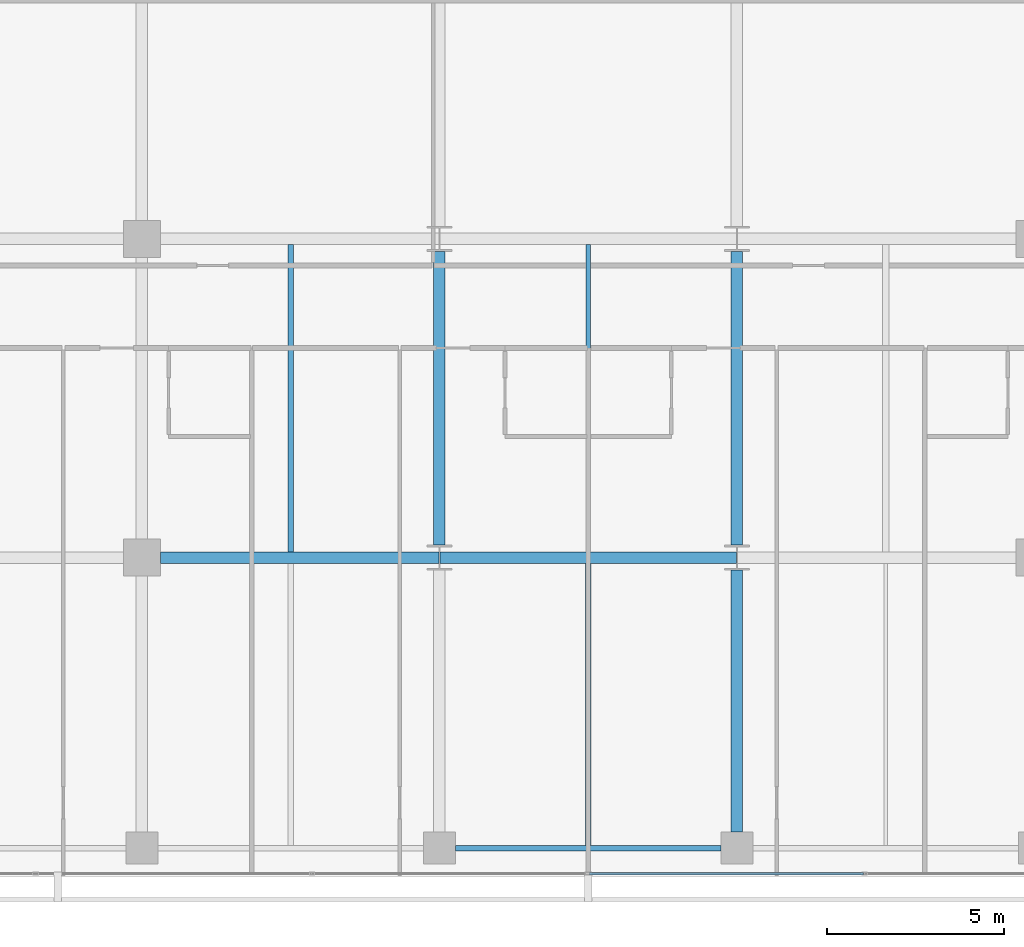
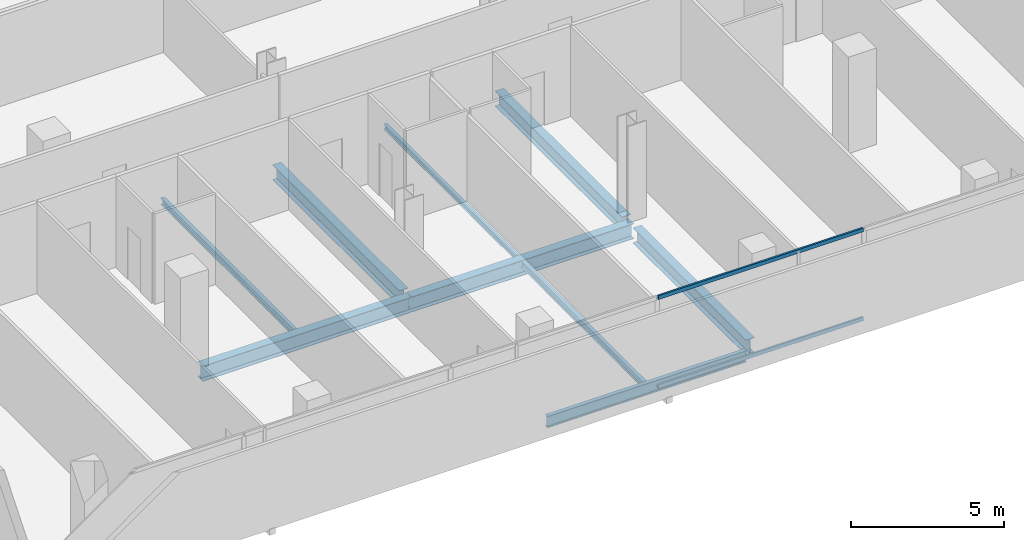
# One storey, part 9 of 40: 9 beams, 2 members, 1 element without a shape of its own.
"""IFC4 building model written with IfcOpenShell, lengths in metres."""

from ifc_helpers import new_model, si_unit, direction, frame, origin, origin_2d, place, context, subcontext, project, spatial, hollow_rectangle, i_section, extrude, material, layer, layer_set, material_profile, profile_set, type_object, element, aggregate, save


model = new_model("IFC4")

# Units and contexts
model_context = context("Model", 3, precision=1e-05, world=origin(), true_north=direction((0.0, 1.0)))
body_context = subcontext(model_context, "Body", "Model", "MODEL_VIEW")
ifc_project = project(units=[si_unit("LENGTHUNIT", "METRE"), si_unit("AREAUNIT", "SQUARE_METRE"), si_unit("VOLUMEUNIT", "CUBIC_METRE"), si_unit("PLANEANGLEUNIT", "RADIAN"), si_unit("MASSUNIT", "GRAM", prefix="KILO")], contexts=[model_context])

# Site, building, storey
site_placement = place(None, origin())
site = spatial("IfcSite", under=ifc_project, at=site_placement, CompositionType="ELEMENT")
building_placement = place(site_placement, origin())
building = spatial("IfcBuilding", under=site, at=building_placement, Name="Maruvema Waterfront Hotel and Observation Tower", CompositionType="ELEMENT")
storey_placement = place(building_placement, frame((0.0, 0.0, 103.949951171875)))
storey = spatial("IfcBuildingStorey", under=building, at=storey_placement, Name="L25", CompositionType="ELEMENT", Elevation=103.949951171875)

# Curtain wall, members
ifc_material_1 = material(Name="Anodised bronze aluminium and solar-control low-E IGU", Category="aluminium")
ifc_layer = layer(ifc_material_1, 0.159912109375, Name="Zone 1 Bronze Inner Thermal Curtain Wall System CW-02")
ifc_layer_set = layer_set([ifc_layer], Name="Anodised bronze aluminium and solar-control low-E IGU")
curtain_wall_type = type_object("IfcCurtainWallType", Name="Zone 1 Bronze Inner Thermal Curtain Wall System CW-02", PredefinedType="USERDEFINED", material=ifc_layer_set)
curtain_wall_placement = place(storey_placement, origin())
curtain_wall = element("IfcCurtainWall", 1, at=curtain_wall_placement, inside=storey, type_object=curtain_wall_type, Name="L25 Curtain Wall CW-L25-S", ObjectType="UNITISED CURTAIN WALL", PredefinedType="USERDEFINED")
ifc_material_2 = material(Name="Anodised architectural bronze aluminium", Category="aluminium")
ifc_material_profile_1 = material_profile(ifc_material_2, hollow_rectangle(XDim=0.070068359375, YDim=0.14990234375, WallThickness=0.00390625, at=origin_2d()), Name="ALU-T70x150")
ifc_profile_set_1 = profile_set([ifc_material_profile_1], Name="Anodised architectural bronze aluminium")
member_type = type_object("IfcMemberType", Name="Curtain Wall Horizontal Transom ALU-T70x150", PredefinedType="USERDEFINED", material=ifc_profile_set_1)
member_1_placement = place(storey_placement, frame((37.830078125, 0.080078125, 0.030029296875), z_axis=(1.0, 0.0, 0.0), x_axis=(0.0, 1.0, 0.0)))
member_1 = element("IfcMember", 2, at=member_1_placement, type_object=member_type, Name="CW-02 transom 4.1", ObjectType="TRANSOM", PredefinedType="USERDEFINED", context=body_context, shape_type="SweptSolid", body=[
    extrude(hollow_rectangle(XDim=0.070068359375, YDim=0.14990234375, WallThickness=0.00390625, at=origin_2d()), origin(), (0.0, 0.0, 1.0), 7.739990234375),
])
member_2_placement = place(storey_placement, frame((37.830078125, 0.080078125, 3.580078125), z_axis=(1.0, 0.0, 0.0), x_axis=(0.0, 1.0, 0.0)))
member_2 = element("IfcMember", 3, at=member_2_placement, type_object=member_type, Name="CW-02 transom 4.2", ObjectType="TRANSOM", PredefinedType="USERDEFINED", context=body_context, shape_type="SweptSolid", body=[
    extrude(hollow_rectangle(XDim=0.070068359375, YDim=0.14990234375, WallThickness=0.00390625, at=origin_2d()), origin(), (0.0, 0.0, 1.0), 7.739990234375),
])
aggregate(curtain_wall, [member_1, member_2])

# Beams
ifc_material_3 = material(Name="Steel ASTM A572 Grade 50", Category="steel")
ifc_material_profile_2 = material_profile(ifc_material_3, i_section(OverallWidth=0.153076171875, OverallDepth=0.455078125, WebThickness=0.008056640625, FlangeThickness=0.01318359375, FilletRadius=0.014892578125, at=origin_2d()), Name="W460x60.0")
ifc_profile_set_2 = profile_set([ifc_material_profile_2], Name="Steel ASTM A572 Grade 50")
beam_type_1 = type_object("IfcBeamType", Name="Perimeter Spandrel Beam W460x60.0", PredefinedType="SPANDREL", material=ifc_profile_set_2)
beam_1_placement = place(storey_placement, frame((34.050048828125, 0.800048828125, -0.467529296875), z_axis=(1.0, 0.0, 0.0), x_axis=(0.0, 1.0, 0.0)))
element("IfcBeam", 4, at=beam_1_placement, inside=storey, type_object=beam_type_1, Name="L25 Floor Girder EW-03", PredefinedType="SPANDREL", context=body_context, shape_type="SweptSolid", body=[
    extrude(i_section(OverallWidth=0.153076171875, OverallDepth=0.455078125, WebThickness=0.008056640625, FlangeThickness=0.01318359375, FilletRadius=0.014892578125, at=origin_2d()), origin(), (0.0, 0.0, 1.0), 7.5),
])
ifc_material_4 = material(Name="Steel ASTM A572 Grade 50", Category="steel")
ifc_material_profile_3 = material_profile(ifc_material_4, i_section(OverallWidth=0.323974609375, OverallDepth=0.611083984375, WebThickness=0.0126953125, FlangeThickness=0.01904296875, FilletRadius=0.01806640625, at=origin_2d()), Name="W610x155.0")
ifc_profile_set_3 = profile_set([ifc_material_profile_3], Name="Steel ASTM A572 Grade 50")
beam_type_2 = type_object("IfcBeamType", Name="Primary Floor Girder W610x155.0", PredefinedType="BEAM", material=ifc_profile_set_3)
beam_2_placement = place(storey_placement, frame((25.72509765625, 9.0, -0.54541015625), z_axis=(1.0, 0.0, 0.0), x_axis=(0.0, 1.0, 0.0)))
element("IfcBeam", 5, at=beam_2_placement, inside=storey, type_object=beam_type_2, Name="L25 Floor Girder EW-08", PredefinedType="BEAM", context=body_context, shape_type="SweptSolid", body=[
    extrude(i_section(OverallWidth=0.323974609375, OverallDepth=0.611083984375, WebThickness=0.0126953125, FlangeThickness=0.01904296875, FilletRadius=0.01806640625, at=origin_2d()), origin(), (0.0, 0.0, 1.0), 7.86083984375),
])
beam_3_placement = place(storey_placement, frame((33.614013671875, 9.0, -0.54541015625), z_axis=(1.0, 0.0, 0.0), x_axis=(0.0, 1.0, 0.0)))
element("IfcBeam", 6, at=beam_3_placement, inside=storey, type_object=beam_type_2, Name="L25 Floor Girder EW-09", PredefinedType="BEAM", context=body_context, shape_type="SweptSolid", body=[
    extrude(i_section(OverallWidth=0.323974609375, OverallDepth=0.611083984375, WebThickness=0.0126953125, FlangeThickness=0.01904296875, FilletRadius=0.01806640625, at=origin_2d()), origin(), (0.0, 0.0, 1.0), 8.3720703125),
])
beam_4_placement = place(storey_placement, frame((33.60009765625, 9.35009765625, -0.54541015625), z_axis=(0.0, 1.0, 0.0), x_axis=(-1.0, 0.0, 0.0)))
element("IfcBeam", 7, at=beam_4_placement, inside=storey, type_object=beam_type_2, Name="L25 Floor Girder NS-17", PredefinedType="BEAM", context=body_context, shape_type="SweptSolid", body=[
    extrude(i_section(OverallWidth=0.323974609375, OverallDepth=0.611083984375, WebThickness=0.0126953125, FlangeThickness=0.01904296875, FilletRadius=0.01806640625, at=origin_2d()), origin(), (0.0, 0.0, 1.0), 8.2998046875),
])
beam_5_placement = place(storey_placement, frame((42.0, 1.25, -0.54541015625), z_axis=(0.0, 1.0, 0.0), x_axis=(-1.0, 0.0, 0.0)))
element("IfcBeam", 8, at=beam_5_placement, inside=storey, type_object=beam_type_2, Name="L25 Floor Girder NS-19", PredefinedType="BEAM", context=body_context, shape_type="SweptSolid", body=[
    extrude(i_section(OverallWidth=0.323974609375, OverallDepth=0.611083984375, WebThickness=0.0126953125, FlangeThickness=0.01904296875, FilletRadius=0.01806640625, at=origin_2d()), origin(), (0.0, 0.0, 1.0), 7.39990234375),
])
beam_6_placement = place(storey_placement, frame((42.0, 9.35009765625, -0.54541015625), z_axis=(0.0, 1.0, 0.0), x_axis=(-1.0, 0.0, 0.0)))
element("IfcBeam", 9, at=beam_6_placement, inside=storey, type_object=beam_type_2, Name="L25 Floor Girder NS-20", PredefinedType="BEAM", context=body_context, shape_type="SweptSolid", body=[
    extrude(i_section(OverallWidth=0.323974609375, OverallDepth=0.611083984375, WebThickness=0.0126953125, FlangeThickness=0.01904296875, FilletRadius=0.01806640625, at=origin_2d()), origin(), (0.0, 0.0, 1.0), 8.2998046875),
])
ifc_material_5 = material(Name="Steel ASTM A572 Grade 50", Category="steel")
ifc_material_profile_4 = material_profile(ifc_material_5, i_section(OverallWidth=0.133056640625, OverallDepth=0.20703125, WebThickness=0.005859375, FlangeThickness=0.00830078125, FilletRadius=0.010009765625, at=origin_2d()), Name="W200x26.6")
ifc_profile_set_4 = profile_set([ifc_material_profile_4], Name="Steel ASTM A572 Grade 50")
beam_type_3 = type_object("IfcBeamType", Name="Secondary Floor Joist W200x26.6", PredefinedType="JOIST", material=ifc_profile_set_4)
beam_7_placement = place(storey_placement, frame((37.800048828125, 9.162109375, -0.343505859375), z_axis=(0.0, 1.0, 0.0), x_axis=(-1.0, 0.0, 0.0)))
element("IfcBeam", 10, at=beam_7_placement, inside=storey, type_object=beam_type_3, Name="L25 Secondary Floor Joist JS-13", PredefinedType="JOIST", context=body_context, shape_type="SweptSolid", body=[
    extrude(i_section(OverallWidth=0.133056640625, OverallDepth=0.20703125, WebThickness=0.005859375, FlangeThickness=0.00830078125, FilletRadius=0.010009765625, at=origin_2d()), origin(), (0.0, 0.0, 1.0), 8.67578125),
])
ifc_material_6 = material(Name="Steel ASTM A572 Grade 50", Category="steel")
ifc_material_profile_5 = material_profile(ifc_material_6, i_section(OverallWidth=0.14599609375, OverallDepth=0.258056640625, WebThickness=0.006103515625, FlangeThickness=0.009033203125, FilletRadius=0.012939453125, at=origin_2d()), Name="W250x32.7")
ifc_profile_set_5 = profile_set([ifc_material_profile_5], Name="Steel ASTM A572 Grade 50")
beam_type_4 = type_object("IfcBeamType", Name="Secondary Floor Joist W250x32.7", PredefinedType="JOIST", material=ifc_profile_set_5)
beam_8_placement = place(storey_placement, frame((37.800048828125, 0.87646484375, -0.368896484375), z_axis=(0.0, 1.0, 0.0), x_axis=(-1.0, 0.0, 0.0)))
element("IfcBeam", 11, at=beam_8_placement, inside=storey, type_object=beam_type_4, Name="L25 Secondary Floor Joist JS-12", PredefinedType="JOIST", context=body_context, shape_type="SweptSolid", body=[
    extrude(i_section(OverallWidth=0.14599609375, OverallDepth=0.258056640625, WebThickness=0.006103515625, FlangeThickness=0.009033203125, FilletRadius=0.012939453125, at=origin_2d()), origin(), (0.0, 0.0, 1.0), 7.96142578125),
])
ifc_material_7 = material(Name="Steel ASTM A572 Grade 50", Category="steel")
ifc_material_profile_6 = material_profile(ifc_material_7, i_section(OverallWidth=0.14794921875, OverallDepth=0.26611328125, WebThickness=0.007568359375, FlangeThickness=0.012939453125, FilletRadius=0.012939453125, at=origin_2d()), Name="W250x44.8")
ifc_profile_set_6 = profile_set([ifc_material_profile_6], Name="Steel ASTM A572 Grade 50")
beam_type_5 = type_object("IfcBeamType", Name="Secondary Floor Joist W250x44.8", PredefinedType="JOIST", material=ifc_profile_set_6)
beam_9_placement = place(storey_placement, frame((29.39990234375, 9.162109375, -0.373046875), z_axis=(0.0, 1.0, 0.0), x_axis=(-1.0, 0.0, 0.0)))
element("IfcBeam", 12, at=beam_9_placement, inside=storey, type_object=beam_type_5, Name="L25 Secondary Floor Joist JS-11", PredefinedType="JOIST", context=body_context, shape_type="SweptSolid", body=[
    extrude(i_section(OverallWidth=0.14794921875, OverallDepth=0.26611328125, WebThickness=0.007568359375, FlangeThickness=0.012939453125, FilletRadius=0.012939453125, at=origin_2d()), origin(), (0.0, 0.0, 1.0), 8.67578125),
])

save(model, "model.ifc")
